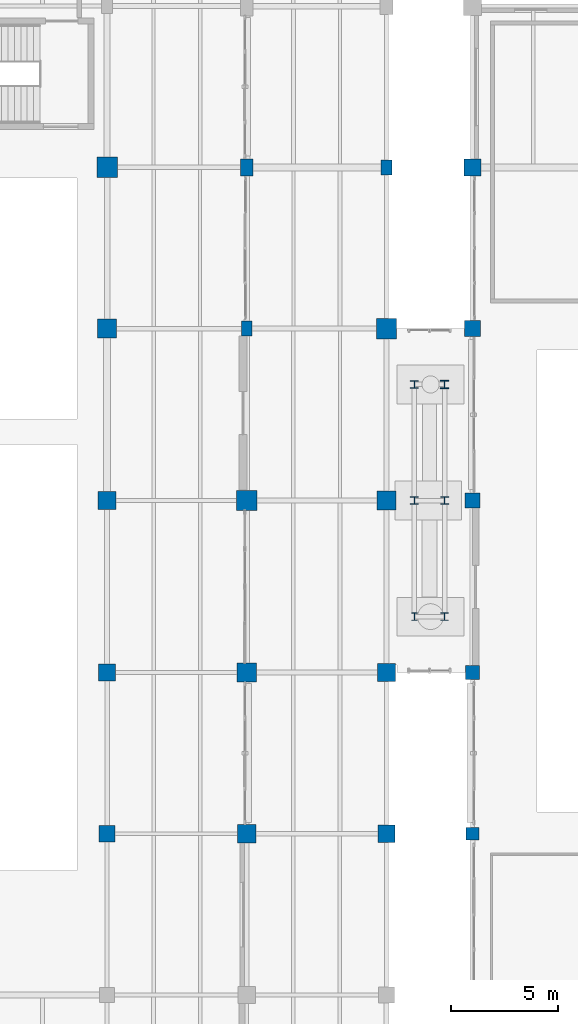
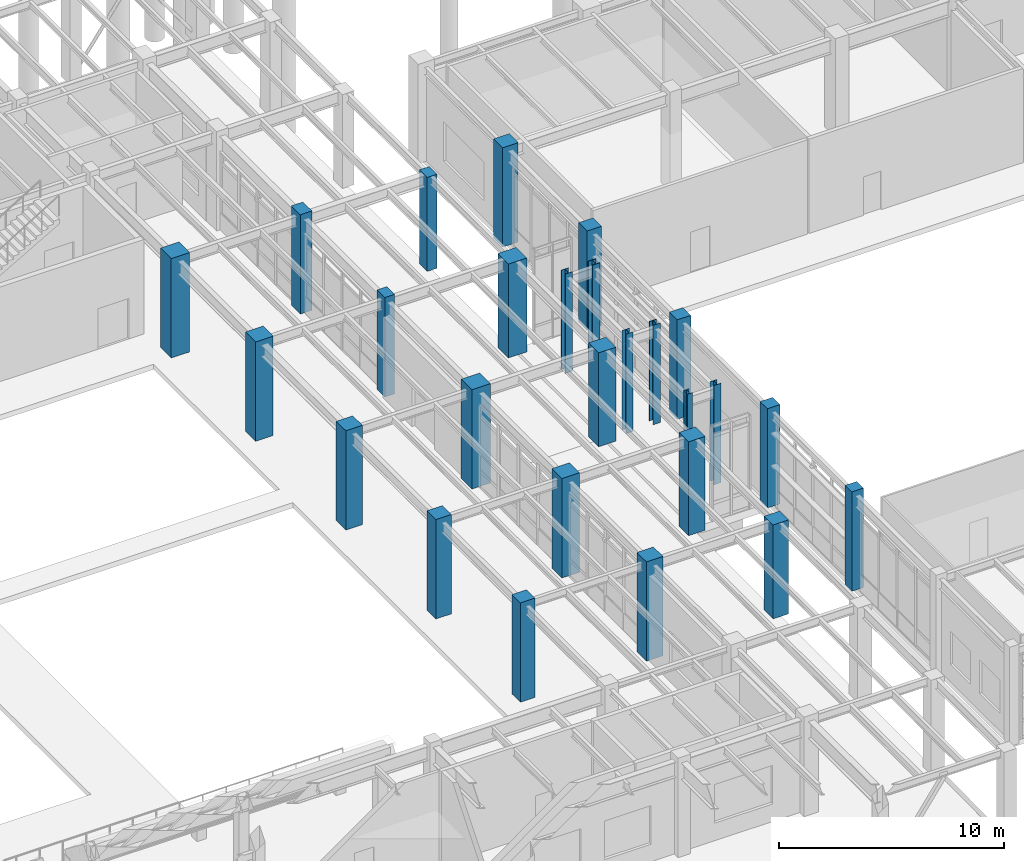
# One storey, part 19 of 203: 26 columns.
"""IFC4 building model written with IfcOpenShell, lengths in metres."""

from ifc_helpers import new_model, si_unit, direction, frame, origin, origin_2d, place, context, subcontext, project, spatial, rectangle, i_section, extrude, material, material_profile, profile_set, type_object, element, save


model = new_model("IFC4")

# Units and contexts
model_context = context("Model", 3, precision=1e-05, world=origin(), true_north=direction((0.0, 1.0)))
body_context = subcontext(model_context, "Body", "Model", "MODEL_VIEW")
ifc_project = project(units=[si_unit("LENGTHUNIT", "METRE"), si_unit("AREAUNIT", "SQUARE_METRE"), si_unit("VOLUMEUNIT", "CUBIC_METRE"), si_unit("PLANEANGLEUNIT", "RADIAN"), si_unit("MASSUNIT", "GRAM", prefix="KILO"), si_unit("THERMODYNAMICTEMPERATUREUNIT", "KELVIN"), si_unit("POWERUNIT", "WATT")], contexts=[model_context])

# Site, building, storey
site_placement = place(None, origin())
site = spatial("IfcSite", under=ifc_project, at=site_placement, CompositionType="ELEMENT")
building_placement = place(site_placement, origin())
building = spatial("IfcBuilding", under=site, at=building_placement, Name="Tepalcoro Natatorium and Aquatics Centre", CompositionType="ELEMENT")
storey_placement = place(building_placement, origin())
storey = spatial("IfcBuildingStorey", under=building, at=storey_placement, Name="L00", CompositionType="ELEMENT", Elevation=0.0)

# Columns
ifc_material_1 = material(Name="Concrete C40/50 (fc 40 MPa)", Category="concrete")
ifc_material_profile_1 = material_profile(ifc_material_1, rectangle(XDim=0.5, YDim=0.699951171875, at=origin_2d()), Name="RC500x700")
ifc_profile_set_1 = profile_set([ifc_material_profile_1], Name="Concrete C40/50 (fc 40 MPa)")
column_type_1 = type_object("IfcColumnType", Name="COL_RC_500x700", PredefinedType="COLUMN", material=ifc_profile_set_1)
column_1_placement = place(storey_placement, frame((131.5, 44.0, 0.0), z_axis=(0.0, 0.0, 1.0), x_axis=(1.0, 0.0, 0.0)))
element("IfcColumn", 1, at=column_1_placement, inside=storey, type_object=column_type_1, Name="V1 L00 Grid Column (131.5, 44.0)", PredefinedType="COLUMN", context=body_context, shape_type="SweptSolid", body=[
    extrude(rectangle(XDim=0.5, YDim=0.699951171875, at=origin_2d()), origin(), (0.0, 0.0, 1.0), 5.39990234375),
])
column_2_placement = place(storey_placement, frame((138.0, 51.5, 0.0), z_axis=(0.0, 0.0, 1.0), x_axis=(1.0, 0.0, 0.0)))
element("IfcColumn", 2, at=column_2_placement, inside=storey, type_object=column_type_1, Name="V1 L00 Grid Column (138.0, 51.5)", PredefinedType="COLUMN", context=body_context, shape_type="SweptSolid", body=[
    extrude(rectangle(XDim=0.5, YDim=0.699951171875, at=origin_2d()), origin(), (0.0, 0.0, 1.0), 5.10009765625),
])
ifc_material_profile_2 = material_profile(ifc_material_1, rectangle(XDim=0.60009765625, YDim=0.60009765625, at=origin_2d()), Name="RC600x600")
ifc_profile_set_2 = profile_set([ifc_material_profile_2], Name="Concrete C40/50 (fc 40 MPa)")
column_type_2 = type_object("IfcColumnType", Name="COL_RC_600x600", PredefinedType="COLUMN", material=ifc_profile_set_2)
column_3_placement = place(storey_placement, frame((142.0, 20.5, 0.0), z_axis=(0.0, 0.0, 1.0), x_axis=(1.0, 0.0, 0.0)))
element("IfcColumn", 3, at=column_3_placement, inside=storey, type_object=column_type_2, Name="V2 L00 Grid Column (142.0, 20.5)", PredefinedType="COLUMN", context=body_context, shape_type="SweptSolid", body=[
    extrude(rectangle(XDim=0.60009765625, YDim=0.60009765625, at=origin_2d()), origin(), (0.0, 0.0, 1.0), 5.39990234375),
])
ifc_material_profile_3 = material_profile(ifc_material_1, rectangle(XDim=0.60009765625, YDim=0.800048828125, at=origin_2d()), Name="RC600x800")
ifc_profile_set_3 = profile_set([ifc_material_profile_3], Name="Concrete C40/50 (fc 40 MPa)")
column_type_3 = type_object("IfcColumnType", Name="COL_RC_600x800", PredefinedType="COLUMN", material=ifc_profile_set_3)
column_4_placement = place(storey_placement, frame((131.5, 51.5, 0.0), z_axis=(0.0, 0.0, 1.0), x_axis=(1.0, 0.0, 0.0)))
element("IfcColumn", 4, at=column_4_placement, inside=storey, type_object=column_type_3, Name="V1 L00 Grid Column (131.5, 51.5)", PredefinedType="COLUMN", context=body_context, shape_type="SweptSolid", body=[
    extrude(rectangle(XDim=0.60009765625, YDim=0.800048828125, at=origin_2d()), origin(), (0.0, 0.0, 1.0), 5.39990234375),
])
ifc_material_profile_4 = material_profile(ifc_material_1, rectangle(XDim=0.64990234375, YDim=0.64990234375, at=origin_2d()), Name="RC650x650")
ifc_profile_set_4 = profile_set([ifc_material_profile_4], Name="Concrete C40/50 (fc 40 MPa)")
column_type_4 = type_object("IfcColumnType", Name="COL_RC_650x650", PredefinedType="COLUMN", material=ifc_profile_set_4)
column_5_placement = place(storey_placement, frame((142.0, 28.0, 0.0), z_axis=(0.0, 0.0, 1.0), x_axis=(1.0, 0.0, 0.0)))
element("IfcColumn", 5, at=column_5_placement, inside=storey, type_object=column_type_4, Name="V2 L00 Grid Column (142.0, 28.0)", PredefinedType="COLUMN", context=body_context, shape_type="SweptSolid", body=[
    extrude(rectangle(XDim=0.64990234375, YDim=0.64990234375, at=origin_2d()), origin(), (0.0, 0.0, 1.0), 5.39990234375),
])
ifc_material_profile_5 = material_profile(ifc_material_1, rectangle(XDim=0.699951171875, YDim=0.699951171875, at=origin_2d()), Name="RC700x700")
ifc_profile_set_5 = profile_set([ifc_material_profile_5], Name="Concrete C40/50 (fc 40 MPa)")
column_type_5 = type_object("IfcColumnType", Name="COL_RC_700x700", PredefinedType="COLUMN", material=ifc_profile_set_5)
column_6_placement = place(storey_placement, frame((142.0, 36.0, 0.0), z_axis=(0.0, 0.0, 1.0), x_axis=(1.0, 0.0, 0.0)))
element("IfcColumn", 6, at=column_6_placement, inside=storey, type_object=column_type_5, Name="V2 L00 Grid Column (142.0, 36.0)", PredefinedType="COLUMN", context=body_context, shape_type="SweptSolid", body=[
    extrude(rectangle(XDim=0.699951171875, YDim=0.699951171875, at=origin_2d()), origin(), (0.0, 0.0, 1.0), 5.39990234375),
])
ifc_material_profile_6 = material_profile(ifc_material_1, rectangle(XDim=0.75, YDim=0.75, at=origin_2d()), Name="RC750x750")
ifc_profile_set_6 = profile_set([ifc_material_profile_6], Name="Concrete C40/50 (fc 40 MPa)")
column_type_6 = type_object("IfcColumnType", Name="COL_RC_750x750", PredefinedType="COLUMN", material=ifc_profile_set_6)
for number, where, z_axis, x_axis, name in (
    (7, (125.0, 20.5, 0.0), (0.0, 0.0, 1.0), (1.0, 0.0, 0.0), "V1 L00 Grid Column (125.0, 20.5)"),
    (8, (142.0, 44.0, 0.0), (0.0, 0.0, 1.0), (1.0, 0.0, 0.0), "V2 L00 Grid Column (142.0, 44.0)"),
):
    element("IfcColumn", number, at=place(storey_placement, frame(where, z_axis=z_axis, x_axis=x_axis)), inside=storey, type_object=column_type_6, Name=name, PredefinedType="COLUMN", context=body_context, shape_type="SweptSolid", body=[
        extrude(rectangle(XDim=0.75, YDim=0.75, at=origin_2d()), origin(), (0.0, 0.0, 1.0), 5.39990234375),
    ])
ifc_material_profile_7 = material_profile(ifc_material_1, rectangle(XDim=0.800048828125, YDim=0.800048828125, at=origin_2d()), Name="RC800x800")
ifc_profile_set_7 = profile_set([ifc_material_profile_7], Name="Concrete C40/50 (fc 40 MPa)")
column_type_7 = type_object("IfcColumnType", Name="COL_RC_800x800", PredefinedType="COLUMN", material=ifc_profile_set_7)
column_7_placement = place(storey_placement, frame((125.0, 28.0, 0.0), z_axis=(0.0, 0.0, 1.0), x_axis=(1.0, 0.0, 0.0)))
element("IfcColumn", 9, at=column_7_placement, inside=storey, type_object=column_type_7, Name="V1 L00 Grid Column (125.0, 28.0)", PredefinedType="COLUMN", context=body_context, shape_type="SweptSolid", body=[
    extrude(rectangle(XDim=0.800048828125, YDim=0.800048828125, at=origin_2d()), origin(), (0.0, 0.0, 1.0), 5.39990234375),
])
column_8_placement = place(storey_placement, frame((138.0, 20.5, 0.0), z_axis=(0.0, 0.0, 1.0), x_axis=(1.0, 0.0, 0.0)))
element("IfcColumn", 10, at=column_8_placement, inside=storey, type_object=column_type_7, Name="V1 L00 Grid Column (138.0, 20.5)", PredefinedType="COLUMN", context=body_context, shape_type="SweptSolid", body=[
    extrude(rectangle(XDim=0.800048828125, YDim=0.800048828125, at=origin_2d()), origin(), (0.0, 0.0, 1.0), 5.10009765625),
])
column_9_placement = place(storey_placement, frame((142.0, 51.5, 0.0), z_axis=(0.0, 0.0, 1.0), x_axis=(1.0, 0.0, 0.0)))
element("IfcColumn", 11, at=column_9_placement, inside=storey, type_object=column_type_7, Name="V2 L00 Grid Column (142.0, 51.5)", PredefinedType="COLUMN", context=body_context, shape_type="SweptSolid", body=[
    extrude(rectangle(XDim=0.800048828125, YDim=0.800048828125, at=origin_2d()), origin(), (0.0, 0.0, 1.0), 5.39990234375),
])
ifc_material_profile_8 = material_profile(ifc_material_1, rectangle(XDim=0.85009765625, YDim=0.85009765625, at=origin_2d()), Name="RC850x850")
ifc_profile_set_8 = profile_set([ifc_material_profile_8], Name="Concrete C40/50 (fc 40 MPa)")
column_type_8 = type_object("IfcColumnType", Name="COL_RC_850x850", PredefinedType="COLUMN", material=ifc_profile_set_8)
for number, where, z_axis, x_axis, name in (
    (12, (125.0, 36.0, 0.0), (0.0, 0.0, 1.0), (1.0, 0.0, 0.0), "V1 L00 Grid Column (125.0, 36.0)"),
    (13, (131.5, 20.5, 0.0), (0.0, 0.0, 1.0), (1.0, 0.0, 0.0), "V1 L00 Grid Column (131.5, 20.5)"),
):
    element("IfcColumn", number, at=place(storey_placement, frame(where, z_axis=z_axis, x_axis=x_axis)), inside=storey, type_object=column_type_8, Name=name, PredefinedType="COLUMN", context=body_context, shape_type="SweptSolid", body=[
        extrude(rectangle(XDim=0.85009765625, YDim=0.85009765625, at=origin_2d()), origin(), (0.0, 0.0, 1.0), 5.39990234375),
    ])
column_10_placement = place(storey_placement, frame((138.0, 28.0, 0.0), z_axis=(0.0, 0.0, 1.0), x_axis=(1.0, 0.0, 0.0)))
element("IfcColumn", 14, at=column_10_placement, inside=storey, type_object=column_type_8, Name="V1 L00 Grid Column (138.0, 28.0)", PredefinedType="COLUMN", context=body_context, shape_type="SweptSolid", body=[
    extrude(rectangle(XDim=0.85009765625, YDim=0.85009765625, at=origin_2d()), origin(), (0.0, 0.0, 1.0), 5.10009765625),
])
ifc_material_profile_9 = material_profile(ifc_material_1, rectangle(XDim=0.89990234375, YDim=0.89990234375, at=origin_2d()), Name="RC900x900")
ifc_profile_set_9 = profile_set([ifc_material_profile_9], Name="Concrete C40/50 (fc 40 MPa)")
column_type_9 = type_object("IfcColumnType", Name="COL_RC_900x900", PredefinedType="COLUMN", material=ifc_profile_set_9)
for number, where, z_axis, x_axis, name in (
    (15, (125.0, 44.0, 0.0), (0.0, 0.0, 1.0), (1.0, 0.0, 0.0), "V1 L00 Grid Column (125.0, 44.0)"),
    (16, (131.5, 28.0, 0.0), (0.0, 0.0, 1.0), (1.0, 0.0, 0.0), "V1 L00 Grid Column (131.5, 28.0)"),
):
    element("IfcColumn", number, at=place(storey_placement, frame(where, z_axis=z_axis, x_axis=x_axis)), inside=storey, type_object=column_type_9, Name=name, PredefinedType="COLUMN", context=body_context, shape_type="SweptSolid", body=[
        extrude(rectangle(XDim=0.89990234375, YDim=0.89990234375, at=origin_2d()), origin(), (0.0, 0.0, 1.0), 5.39990234375),
    ])
column_11_placement = place(storey_placement, frame((138.0, 36.0, 0.0), z_axis=(0.0, 0.0, 1.0), x_axis=(1.0, 0.0, 0.0)))
element("IfcColumn", 17, at=column_11_placement, inside=storey, type_object=column_type_9, Name="V1 L00 Grid Column (138.0, 36.0)", PredefinedType="COLUMN", context=body_context, shape_type="SweptSolid", body=[
    extrude(rectangle(XDim=0.89990234375, YDim=0.89990234375, at=origin_2d()), origin(), (0.0, 0.0, 1.0), 5.10009765625),
])
ifc_material_profile_10 = material_profile(ifc_material_1, rectangle(XDim=0.949951171875, YDim=0.949951171875, at=origin_2d()), Name="RC950x950")
ifc_profile_set_10 = profile_set([ifc_material_profile_10], Name="Concrete C40/50 (fc 40 MPa)")
column_type_10 = type_object("IfcColumnType", Name="COL_RC_950x950", PredefinedType="COLUMN", material=ifc_profile_set_10)
for number, where, z_axis, x_axis, name in (
    (18, (125.0, 51.5, 0.0), (0.0, 0.0, 1.0), (1.0, 0.0, 0.0), "V1 L00 Grid Column (125.0, 51.5)"),
    (19, (131.5, 36.0, 0.0), (0.0, 0.0, 1.0), (1.0, 0.0, 0.0), "V1 L00 Grid Column (131.5, 36.0)"),
):
    element("IfcColumn", number, at=place(storey_placement, frame(where, z_axis=z_axis, x_axis=x_axis)), inside=storey, type_object=column_type_10, Name=name, PredefinedType="COLUMN", context=body_context, shape_type="SweptSolid", body=[
        extrude(rectangle(XDim=0.949951171875, YDim=0.949951171875, at=origin_2d()), origin(), (0.0, 0.0, 1.0), 5.39990234375),
    ])
column_12_placement = place(storey_placement, frame((138.0, 44.0, 0.0), z_axis=(0.0, 0.0, 1.0), x_axis=(1.0, 0.0, 0.0)))
element("IfcColumn", 20, at=column_12_placement, inside=storey, type_object=column_type_10, Name="V1 L00 Grid Column (138.0, 44.0)", PredefinedType="COLUMN", context=body_context, shape_type="SweptSolid", body=[
    extrude(rectangle(XDim=0.949951171875, YDim=0.949951171875, at=origin_2d()), origin(), (0.0, 0.0, 1.0), 5.10009765625),
])
ifc_material_2 = material(Name="Steel ASTM A992 Grade 50 (Fy 345 MPa)", Category="steel")
ifc_material_profile_11 = material_profile(ifc_material_2, i_section(OverallWidth=0.373046875, OverallDepth=0.367919921875, WebThickness=0.014892578125, FlangeThickness=0.02392578125, FilletRadius=0.013916015625, at=origin_2d()), Name="W14X120")
ifc_profile_set_11 = profile_set([ifc_material_profile_11], Name="Steel ASTM A992 Grade 50 (Fy 345 MPa)")
column_type_11 = type_object("IfcColumnType", Name="COL_W14x120", PredefinedType="COLUMN", material=ifc_profile_set_11)
for number, where, z_axis, x_axis, name in (
    (21, (139.300048828125, 41.39990234375, 0.0), (0.0, 0.0, 1.0), (1.0, 0.0, 0.0), "East Diving Seismic Link Column L00"),
    (22, (140.699951171875, 36.0, 0.0), (0.0, 0.0, 1.0), (1.0, 0.0, 0.0), "East Diving Seismic Link Column L00"),
):
    element("IfcColumn", number, at=place(storey_placement, frame(where, z_axis=z_axis, x_axis=x_axis)), inside=storey, type_object=column_type_11, Name=name, PredefinedType="COLUMN", context=body_context, shape_type="SweptSolid", body=[
        extrude(i_section(OverallWidth=0.373046875, OverallDepth=0.367919921875, WebThickness=0.014892578125, FlangeThickness=0.02392578125, FilletRadius=0.013916015625, at=origin_2d()), origin(), (0.0, 0.0, 1.0), 5.39990234375),
    ])
ifc_material_profile_12 = material_profile(ifc_material_2, i_section(OverallWidth=0.39404296875, OverallDepth=0.3759765625, WebThickness=0.01708984375, FlangeThickness=0.028076171875, FilletRadius=0.013916015625, at=origin_2d()), Name="W14X145")
ifc_profile_set_12 = profile_set([ifc_material_profile_12], Name="Steel ASTM A992 Grade 50 (Fy 345 MPa)")
column_type_12 = type_object("IfcColumnType", Name="COL_W14x145", PredefinedType="COLUMN", material=ifc_profile_set_12)
column_13_placement = place(storey_placement, frame((140.699951171875, 41.39990234375, 0.0), z_axis=(0.0, 0.0, 1.0), x_axis=(1.0, 0.0, 0.0)))
element("IfcColumn", 23, at=column_13_placement, inside=storey, type_object=column_type_12, Name="East Diving Seismic Link Column L00", PredefinedType="COLUMN", context=body_context, shape_type="SweptSolid", body=[
    extrude(i_section(OverallWidth=0.39404296875, OverallDepth=0.3759765625, WebThickness=0.01708984375, FlangeThickness=0.028076171875, FilletRadius=0.013916015625, at=origin_2d()), origin(), (0.0, 0.0, 1.0), 5.39990234375),
])
ifc_material_profile_13 = material_profile(ifc_material_2, i_section(OverallWidth=0.25390625, OverallDepth=0.35595703125, WebThickness=0.010986328125, FlangeThickness=0.01806640625, FilletRadius=0.013916015625, at=origin_2d()), Name="W14X68")
ifc_profile_set_13 = profile_set([ifc_material_profile_13], Name="Steel ASTM A992 Grade 50 (Fy 345 MPa)")
column_type_13 = type_object("IfcColumnType", Name="COL_W14x68", PredefinedType="COLUMN", material=ifc_profile_set_13)
column_14_placement = place(storey_placement, frame((139.300048828125, 30.60009765625, 0.0), z_axis=(0.0, 0.0, 1.0), x_axis=(1.0, 0.0, 0.0)))
element("IfcColumn", 24, at=column_14_placement, inside=storey, type_object=column_type_13, Name="East Diving Seismic Link Column L00", PredefinedType="COLUMN", context=body_context, shape_type="SweptSolid", body=[
    extrude(i_section(OverallWidth=0.25390625, OverallDepth=0.35595703125, WebThickness=0.010986328125, FlangeThickness=0.01806640625, FilletRadius=0.013916015625, at=origin_2d()), origin(), (0.0, 0.0, 1.0), 5.39990234375),
])
ifc_material_profile_14 = material_profile(ifc_material_2, i_section(OverallWidth=0.367919921875, OverallDepth=0.35595703125, WebThickness=0.010986328125, FlangeThickness=0.01806640625, FilletRadius=0.013916015625, at=origin_2d()), Name="W14X90")
ifc_profile_set_14 = profile_set([ifc_material_profile_14], Name="Steel ASTM A992 Grade 50 (Fy 345 MPa)")
column_type_14 = type_object("IfcColumnType", Name="COL_W14x90", PredefinedType="COLUMN", material=ifc_profile_set_14)
for number, where, z_axis, x_axis, name in (
    (25, (139.300048828125, 36.0, 0.0), (0.0, 0.0, 1.0), (1.0, 0.0, 0.0), "East Diving Seismic Link Column L00"),
    (26, (140.699951171875, 30.60009765625, 0.0), (0.0, 0.0, 1.0), (1.0, 0.0, 0.0), "East Diving Seismic Link Column L00"),
):
    element("IfcColumn", number, at=place(storey_placement, frame(where, z_axis=z_axis, x_axis=x_axis)), inside=storey, type_object=column_type_14, Name=name, PredefinedType="COLUMN", context=body_context, shape_type="SweptSolid", body=[
        extrude(i_section(OverallWidth=0.367919921875, OverallDepth=0.35595703125, WebThickness=0.010986328125, FlangeThickness=0.01806640625, FilletRadius=0.013916015625, at=origin_2d()), origin(), (0.0, 0.0, 1.0), 5.39990234375),
    ])

save(model, "model.ifc")
